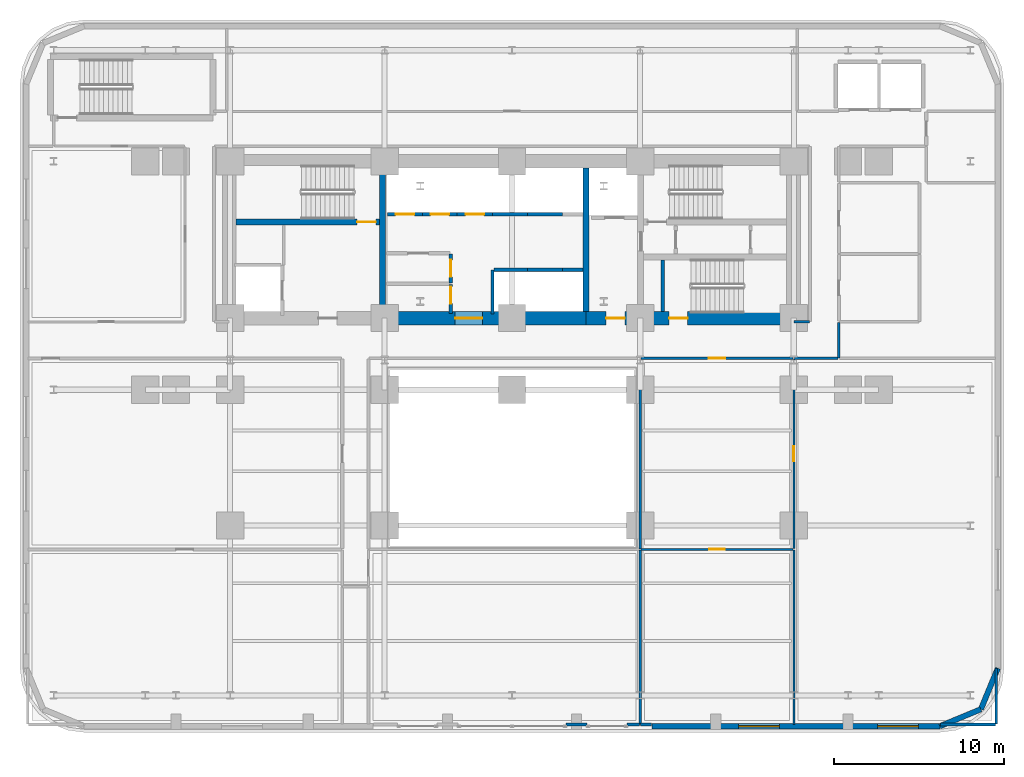
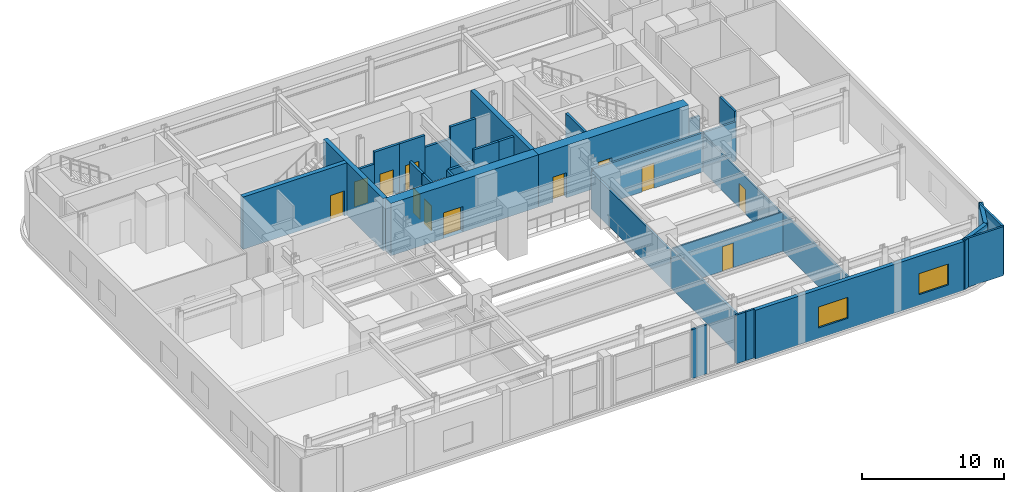
# One storey, part 7 of 14: 34 walls, 12 doors, 2 windows, 14 openings.
"""IFC4 building model written with IfcOpenShell, lengths in metres."""

from ifc_helpers import new_model, si_unit, direction, frame, frame_2d, origin, place, context, subcontext, project, spatial, rectangle, extrude, material, layer, layer_set, type_object, element, fill, save


model = new_model("IFC4")

# Units and contexts
model_context = context("Model", 3, precision=1e-05, world=origin(), true_north=direction((0.0, 1.0)))
body_context = subcontext(model_context, "Body", "Model", "MODEL_VIEW")
ifc_project = project(units=[si_unit("LENGTHUNIT", "METRE"), si_unit("AREAUNIT", "SQUARE_METRE"), si_unit("VOLUMEUNIT", "CUBIC_METRE"), si_unit("PLANEANGLEUNIT", "RADIAN"), si_unit("MASSUNIT", "GRAM", prefix="KILO")], contexts=[model_context])

# Site, building, storey
site_placement = place(None, origin())
site = spatial("IfcSite", under=ifc_project, at=site_placement, CompositionType="ELEMENT")
building_placement = place(site_placement, origin())
building = spatial("IfcBuilding", under=site, at=building_placement, Name="Zarnavel Station Tower", CompositionType="ELEMENT")
storey_placement = place(building_placement, frame((0.0, 0.0, 14.89990234375)))
storey = spatial("IfcBuildingStorey", under=building, at=storey_placement, Name="L04", CompositionType="ELEMENT", Elevation=14.89990234375)

# Walls
ifc_material_1 = material(Name="Concrete C50/60", Category="concrete")
ifc_layer_1 = layer(ifc_material_1, 0.35009765625)
ifc_layer_set_1 = layer_set([ifc_layer_1], Name="CW_350")
wall_type_1 = type_object("IfcWallType", Name="CW_350", PredefinedType="SHEAR", material=ifc_layer_set_1)
for number, where, z_axis, x_axis, name in (
    (1, (21.179931640625, 28.219970703125, 0.0), (0.0, 0.0, 1.0), (0.0, 1.0, 0.0), "L04 Rear Core Shear Wall DIV-W"),
    (2, (33.14990234375, 28.219970703125, 0.0), (0.0, 0.0, 1.0), (0.0, 1.0, 0.0), "L04 Rear Core Shear Wall DIV-E"),
):
    element("IfcWall", number, at=place(storey_placement, frame(where, z_axis=z_axis, x_axis=x_axis)), inside=storey, type_object=wall_type_1, Name=name, PredefinedType="SHEAR", context=body_context, shape_type="SweptSolid", body=[
        extrude(rectangle(XDim=8.429931640625, YDim=0.35009765625, at=frame_2d((4.21484375, 0.0))), origin(), (0.0, 0.0, 1.0), 4.5),
    ])

# Wall, opening, door
wall_1_placement = place(storey_placement, frame((21.0048828125, 33.47998046875, 0.0), z_axis=(0.0, 0.0, 1.0), x_axis=(-1.0, 0.0, 0.0)))
wall_1 = element("IfcWall", 3, at=wall_1_placement, inside=storey, type_object=wall_type_1, Name="L04 Rear Core Shear Wall DIV-H1", PredefinedType="SHEAR", context=body_context, shape_type="SweptSolid", body=[
    extrude(rectangle(XDim=8.454833984375, YDim=0.35009765625, at=frame_2d((4.2275390625, 0.0))), origin(), (0.0, 0.0, 1.0), 4.5),
])
opening_1_placement = place(wall_1_placement, frame((0.219970703125, 0.0, 0.0)))
opening_1 = element("IfcOpeningElement", 4, at=opening_1_placement, cuts=wall_1, Name="Opening FD01", PredefinedType="OPENING", context=body_context, shape_type="SweptSolid", body=[
    extrude(rectangle(XDim=1.10009765625, YDim=2.14990234375, at=frame_2d((0.550048828125, 1.074951171875))), frame((0.0, 0.18505859375, 0.0), z_axis=(0.0, -1.0, 0.0), x_axis=(1.0, 0.0, 0.0)), (0.0, 0.0, 1.0), 0.3701171875),
])
ifc_material_2 = material(Name="Painted Galvanised Steel and Hardwood Leaf", Category="steel")
door_type_1 = type_object("IfcDoorType", Name="ID_STAIR_1100", OperationType="NOTDEFINED", PredefinedType="DOOR", material=ifc_material_2)
door_1_placement = place(opening_1_placement, origin())
door_1 = element("IfcDoor", 5, at=door_1_placement, inside=storey, type_object=door_type_1, Name="L04 Stair ST1 Lobby Fire Door", OperationType="SINGLE_SWING_LEFT", OverallHeight=2.14990234375, OverallWidth=1.10009765625, PredefinedType="DOOR", context=body_context, shape_type="SweptSolid", body=[
    extrude(rectangle(XDim=1.10009765625, YDim=2.14990234375, at=frame_2d((0.550048828125, 1.074951171875))), frame((0.0, 0.02490234375, 0.0), z_axis=(0.0, -1.0, 0.0), x_axis=(1.0, 0.0, 0.0)), (0.0, 0.0, 1.0), 0.050048828125),
])
fill(opening_1, door_1)

ifc_material_3 = material(Name="Concrete C60/75", Category="concrete")
ifc_layer_2 = layer(ifc_material_3, 0.800048828125)
ifc_layer_set_2 = layer_set([ifc_layer_2], Name="CW_800")
wall_type_2 = type_object("IfcWallType", Name="CW_800", PredefinedType="SHEAR", material=ifc_layer_set_2)
wall_2_placement = place(storey_placement, frame((33.14990234375, 27.820068359375, 0.0), z_axis=(0.0, 0.0, 1.0), x_axis=(-1.0, 0.0, 0.0)))
wall_2 = element("IfcWall", 6, at=wall_2_placement, inside=storey, type_object=wall_type_2, Name="L04 Rear Core Shear Wall S-M", PredefinedType="SHEAR", context=body_context, shape_type="SweptSolid", body=[
    extrude(rectangle(XDim=11.969970703125, YDim=0.800048828125, at=frame_2d((5.98486328125, 0.0))), origin(), (0.0, 0.0, 1.0), 4.5),
])
opening_2_placement = place(wall_2_placement, frame((6.10009765625, 0.0, 0.0)))
opening_2 = element("IfcOpeningElement", 7, at=opening_2_placement, cuts=wall_2, Name="Opening ID03", PredefinedType="OPENING", context=body_context, shape_type="SweptSolid", body=[
    extrude(rectangle(XDim=1.60009765625, YDim=2.199951171875, at=frame_2d((0.800048828125, 1.10009765625))), frame((0.0, 0.409912109375, 0.0), z_axis=(0.0, -1.0, 0.0), x_axis=(1.0, 0.0, 0.0)), (0.0, 0.0, 1.0), 0.820068359375),
])
ifc_material_4 = material(Name="Painted Galvanised Steel and Hardwood Leaf", Category="steel")
door_type_2 = type_object("IfcDoorType", Name="ID_PUBLIC_1600", OperationType="DOUBLE_DOOR_SINGLE_SWING", PredefinedType="DOOR", material=ifc_material_4)
door_2_placement = place(opening_2_placement, origin())
door_2 = element("IfcDoor", 8, at=door_2_placement, inside=storey, type_object=door_type_2, Name="L04 Passenger Lift Lobby Double Door", OperationType="SINGLE_SWING_LEFT", OverallHeight=2.199951171875, OverallWidth=1.60009765625, PredefinedType="DOOR", context=body_context, shape_type="SweptSolid", body=[
    extrude(rectangle(XDim=1.60009765625, YDim=2.199951171875, at=frame_2d((0.800048828125, 1.10009765625))), frame((0.0, 0.02490234375, 0.0), z_axis=(0.0, -1.0, 0.0), x_axis=(1.0, 0.0, 0.0)), (0.0, 0.0, 1.0), 0.050048828125),
])
fill(opening_2, door_2)

# Wall, openings, doors
wall_3_placement = place(storey_placement, frame((45.3798828125, 27.820068359375, 0.0), z_axis=(0.0, 0.0, 1.0), x_axis=(-1.0, 0.0, 0.0)))
wall_3 = element("IfcWall", 9, at=wall_3_placement, inside=storey, type_object=wall_type_2, Name="L04 Rear Core Shear Wall S-E", PredefinedType="SHEAR", context=body_context, shape_type="SweptSolid", body=[
    extrude(rectangle(XDim=12.22998046875, YDim=0.800048828125, at=frame_2d((6.114990234375, 0.0))), origin(), (0.0, 0.0, 1.0), 4.5),
])
opening_3_placement = place(wall_3_placement, frame((9.929931640625, 0.0, 0.0)))
opening_3 = element("IfcOpeningElement", 10, at=opening_3_placement, cuts=wall_3, Name="Opening FD01", PredefinedType="OPENING", context=body_context, shape_type="SweptSolid", body=[
    extrude(rectangle(XDim=1.10009765625, YDim=2.14990234375, at=frame_2d((0.550048828125, 1.074951171875))), frame((0.0, 0.409912109375, 0.0), z_axis=(0.0, -1.0, 0.0), x_axis=(1.0, 0.0, 0.0)), (0.0, 0.0, 1.0), 0.820068359375),
])
opening_4_placement = place(wall_3_placement, frame((6.22998046875, 0.0, 0.0)))
opening_4 = element("IfcOpeningElement", 11, at=opening_4_placement, cuts=wall_3, Name="Opening FD01", PredefinedType="OPENING", context=body_context, shape_type="SweptSolid", body=[
    extrude(rectangle(XDim=1.10009765625, YDim=2.14990234375, at=frame_2d((0.550048828125, 1.074951171875))), frame((0.0, 0.409912109375, 0.0), z_axis=(0.0, -1.0, 0.0), x_axis=(1.0, 0.0, 0.0)), (0.0, 0.0, 1.0), 0.820068359375),
])
door_3_placement = place(opening_3_placement, origin())
door_3 = element("IfcDoor", 12, at=door_3_placement, inside=storey, type_object=door_type_1, Name="L04 East Firefighting Lobby Door", OperationType="SINGLE_SWING_LEFT", OverallHeight=2.14990234375, OverallWidth=1.10009765625, PredefinedType="DOOR", context=body_context, shape_type="SweptSolid", body=[
    extrude(rectangle(XDim=1.10009765625, YDim=2.14990234375, at=frame_2d((0.550048828125, 1.074951171875))), frame((0.0, 0.02490234375, 0.0), z_axis=(0.0, -1.0, 0.0), x_axis=(1.0, 0.0, 0.0)), (0.0, 0.0, 1.0), 0.050048828125),
])
fill(opening_3, door_3)
door_4_placement = place(opening_4_placement, origin())
door_4 = element("IfcDoor", 13, at=door_4_placement, inside=storey, type_object=door_type_1, Name="L04 Stair ST3 Corridor Fire Door", OperationType="SINGLE_SWING_RIGHT", OverallHeight=2.14990234375, OverallWidth=1.10009765625, PredefinedType="DOOR", context=body_context, shape_type="SweptSolid", body=[
    extrude(rectangle(XDim=1.10009765625, YDim=2.14990234375, at=frame_2d((0.550048828125, 1.074951171875))), frame((0.0, 0.02490234375, 0.0), z_axis=(0.0, -1.0, 0.0), x_axis=(1.0, 0.0, 0.0)), (0.0, 0.0, 1.0), 0.050048828125),
])
fill(opening_4, door_4)

# Walls
ifc_material_5 = material(Name="Precast concrete C45/55 (Podium Basalt Frame)", Category="masonry")
ifc_layer_3 = layer(ifc_material_5, 0.320068359375)
ifc_layer_set_3 = layer_set([ifc_layer_3], Name="EW_BASALT_320")
wall_type_3 = type_object("IfcWallType", Name="EW_BASALT_320", PredefinedType="SOLIDWALL", material=ifc_layer_set_3)
for number, where, z_axis, x_axis, name in (
    (14, (56.418212890625, 4.78173828125, 0.0), (0.0, 0.0, 1.0), (-0.923872453333, -0.382700522567, 0.0), "L04 Exterior Basalt Masonry Frame Wall 01"),
    (15, (57.419921875, 7.199951171875, 0.0), (0.0, 0.0, 1.0), (-0.382700522567, -0.923872453333, 0.0), "L04 Exterior Basalt Masonry Frame Wall 02"),
):
    element("IfcWall", number, at=place(storey_placement, frame(where, z_axis=z_axis, x_axis=x_axis)), inside=storey, type_object=wall_type_3, Name=name, PredefinedType="SOLIDWALL", context=body_context, shape_type="SweptSolid", body=[
        extrude(rectangle(XDim=2.617431640625, YDim=0.320068359375, at=frame_2d((1.30859375, 0.0))), origin(), (0.0, 0.0, 1.0), 4.2001953125),
    ])

# Wall, openings, windows
wall_4_placement = place(storey_placement, frame((54.0, 3.780029296875, 0.0), z_axis=(0.0, 0.0, 1.0), x_axis=(-1.0, 0.0, 0.0)))
wall_4 = element("IfcWall", 16, at=wall_4_placement, inside=storey, type_object=wall_type_3, Name="L04 South East Masonry Facade Wall", PredefinedType="SOLIDWALL", context=body_context, shape_type="SweptSolid", body=[
    extrude(rectangle(XDim=16.949951171875, YDim=0.320068359375, at=frame_2d((8.47509765625, 0.0))), origin(), (0.0, 0.0, 1.0), 4.2001953125),
])
opening_5_placement = place(wall_4_placement, frame((9.451904296875, 0.0, 0.89990234375)))
opening_5 = element("IfcOpeningElement", 17, at=opening_5_placement, cuts=wall_4, Name="Opening WN03", PredefinedType="OPENING", context=body_context, shape_type="SweptSolid", body=[
    extrude(rectangle(XDim=2.39990234375, YDim=1.800048828125, at=frame_2d((1.199951171875, 0.89990234375))), frame((0.0, 0.169921875, 0.0), z_axis=(0.0, -1.0, 0.0), x_axis=(1.0, 0.0, 0.0)), (0.0, 0.0, 1.0), 0.340087890625),
])
opening_6_placement = place(wall_4_placement, frame((1.261962890625, 0.0, 0.89990234375)))
opening_6 = element("IfcOpeningElement", 18, at=opening_6_placement, cuts=wall_4, Name="Opening WN03", PredefinedType="OPENING", context=body_context, shape_type="SweptSolid", body=[
    extrude(rectangle(XDim=2.39990234375, YDim=1.800048828125, at=frame_2d((1.199951171875, 0.89990234375))), frame((0.0, 0.169921875, 0.0), z_axis=(0.0, -1.0, 0.0), x_axis=(1.0, 0.0, 0.0)), (0.0, 0.0, 1.0), 0.340087890625),
])
ifc_material_6 = material(Name="Thermally Broken Black Aluminium and Low-E Dark Glass", Category="aluminium")
window_type = type_object("IfcWindowType", Name="WN_2400x1800", PartitioningType="TRIPLE_PANEL_VERTICAL", PredefinedType="WINDOW", material=ifc_material_6)
window_1_placement = place(opening_5_placement, origin())
window_1 = element("IfcWindow", 19, at=window_1_placement, inside=storey, type_object=window_type, Name="L04 Recessed Facade Window 01", OverallHeight=1.800048828125, OverallWidth=2.39990234375, PartitioningType="SINGLE_PANEL", PredefinedType="WINDOW", context=body_context, shape_type="SweptSolid", body=[
    extrude(rectangle(XDim=2.39990234375, YDim=1.800048828125, at=frame_2d((1.199951171875, 0.89990234375))), frame((0.0, 0.030029296875, 0.0), z_axis=(0.0, -1.0, 0.0), x_axis=(1.0, 0.0, 0.0)), (0.0, 0.0, 1.0), 0.06005859375),
])
fill(opening_5, window_1)
window_2_placement = place(opening_6_placement, origin())
window_2 = element("IfcWindow", 20, at=window_2_placement, inside=storey, type_object=window_type, Name="L04 Recessed Facade Window 02", OverallHeight=1.800048828125, OverallWidth=2.39990234375, PartitioningType="SINGLE_PANEL", PredefinedType="WINDOW", context=body_context, shape_type="SweptSolid", body=[
    extrude(rectangle(XDim=2.39990234375, YDim=1.800048828125, at=frame_2d((1.199951171875, 0.89990234375))), frame((0.0, 0.030029296875, 0.0), z_axis=(0.0, -1.0, 0.0), x_axis=(1.0, 0.0, 0.0)), (0.0, 0.0, 1.0), 0.06005859375),
])
fill(opening_6, window_2)

# Wall, opening, door
ifc_material_7 = material(Name="Gypsum Twin-Stud Acoustic Fire Partition", Category="concrete")
ifc_layer_4 = layer(ifc_material_7, 0.159912109375)
ifc_layer_set_4 = layer_set([ifc_layer_4], Name="PT_DEMISE_160")
wall_type_4 = type_object("IfcWallType", Name="PT_DEMISE_160", PredefinedType="PARTITIONING", material=ifc_layer_set_4)
wall_5_placement = place(storey_placement, frame((36.389892578125, 25.449951171875, 0.0), z_axis=(0.0, 0.0, 1.0), x_axis=(1.0, 0.0, 0.0)))
wall_5 = element("IfcWall", 21, at=wall_5_placement, inside=storey, type_object=wall_type_4, Name="L04 Partition PCOR-S-PDR", PredefinedType="PARTITIONING", context=body_context, shape_type="SweptSolid", body=[
    extrude(rectangle(XDim=8.97021484375, YDim=0.159912109375, at=frame_2d((4.485107421875, 0.0))), origin(), (0.0, 0.0, 1.0), 3.3662109375),
])
opening_7_placement = place(wall_5_placement, frame((3.985107421875, 0.0, 0.0)))
opening_7 = element("IfcOpeningElement", 22, at=opening_7_placement, cuts=wall_5, Name="Opening FD02", PredefinedType="OPENING", context=body_context, shape_type="SweptSolid", body=[
    extrude(rectangle(XDim=1.0, YDim=2.14990234375, at=frame_2d((0.5, 1.074951171875))), frame((0.0, 0.08984375, 0.0), z_axis=(0.0, -1.0, 0.0), x_axis=(1.0, 0.0, 0.0)), (0.0, 0.0, 1.0), 0.179931640625),
])
ifc_material_8 = material(Name="Painted Galvanised Steel and Hardwood Leaf", Category="steel")
door_type_3 = type_object("IfcDoorType", Name="ID_ENTRY_1000", OperationType="NOTDEFINED", PredefinedType="DOOR", material=ifc_material_8)
door_5_placement = place(opening_7_placement, origin())
door_5 = element("IfcDoor", 23, at=door_5_placement, inside=storey, type_object=door_type_3, Name="L04 Door PCOR-S-PDR", OperationType="SINGLE_SWING_RIGHT", OverallHeight=2.14990234375, OverallWidth=1.0, PredefinedType="DOOR", context=body_context, shape_type="SweptSolid", body=[
    extrude(rectangle(XDim=1.0, YDim=2.14990234375, at=frame_2d((0.5, 1.074951171875))), frame((0.0, 0.02490234375, 0.0), z_axis=(0.0, -1.0, 0.0), x_axis=(1.0, 0.0, 0.0)), (0.0, 0.0, 1.0), 0.050048828125),
])
fill(opening_7, door_5)

# Walls
wall_6_placement = place(storey_placement, frame((45.43994140625, 25.449951171875, 0.0), z_axis=(0.0, 0.0, 1.0), x_axis=(1.0, 0.0, 0.0)))
element("IfcWall", 24, at=wall_6_placement, inside=storey, type_object=wall_type_4, Name="L04 Partition PCOR-S-PDRE", PredefinedType="PARTITIONING", context=body_context, shape_type="SweptSolid", body=[
    extrude(rectangle(XDim=2.570068359375, YDim=0.159912109375, at=frame_2d((1.28515625, 0.0))), origin(), (0.0, 0.0, 1.0), 3.3662109375),
])
wall_7_placement = place(storey_placement, frame((36.35009765625, 3.8798828125, 0.0), z_axis=(0.0, 0.0, 1.0), x_axis=(0.0, 1.0, 0.0)))
element("IfcWall", 25, at=wall_7_placement, inside=storey, type_object=wall_type_4, Name="L04 Partition TERD-REST2", PredefinedType="PARTITIONING", context=body_context, shape_type="SweptSolid", body=[
    extrude(rectangle(XDim=10.280029296875, YDim=0.159912109375, at=frame_2d((5.14013671875, 0.0))), origin(), (0.0, 0.0, 1.0), 3.3662109375),
])
wall_8_placement = place(storey_placement, frame((45.409912109375, 27.60009765625, 0.0), z_axis=(0.0, 0.0, 1.0), x_axis=(1.0, 0.0, 0.0)))
element("IfcWall", 26, at=wall_8_placement, inside=storey, type_object=wall_type_4, Name="L04 Enclosure Wall PCOR-S", PredefinedType="PARTITIONING", context=body_context, shape_type="SweptSolid", body=[
    extrude(rectangle(XDim=0.91015625, YDim=0.159912109375, at=frame_2d((0.455078125, 0.0))), origin(), (0.0, 0.0, 1.0), 3.172119140625),
])
wall_9_placement = place(storey_placement, frame((48.050048828125, 25.47998046875, 0.0), z_axis=(0.0, 0.0, 1.0), x_axis=(0.0, 1.0, 0.0)))
element("IfcWall", 27, at=wall_9_placement, inside=storey, type_object=wall_type_4, Name="L04 Enclosure Wall PCOR-S", PredefinedType="PARTITIONING", context=body_context, shape_type="SweptSolid", body=[
    extrude(rectangle(XDim=2.090087890625, YDim=0.159912109375, at=frame_2d((1.044921875, 0.0))), origin(), (0.0, 0.0, 1.0), 4.2001953125),
])
wall_10_placement = place(storey_placement, frame((31.986083984375, 3.8798828125, 0.0), z_axis=(0.0, 0.0, 1.0), x_axis=(1.0, 0.0, 0.0)))
element("IfcWall", 28, at=wall_10_placement, inside=storey, type_object=wall_type_4, Name="L04 Enclosure Wall TERD", PredefinedType="PARTITIONING", context=body_context, shape_type="SweptSolid", body=[
    extrude(rectangle(XDim=1.22802734375, YDim=0.159912109375, at=frame_2d((0.614013671875, 0.0))), origin(), (0.0, 0.0, 1.0), 4.2001953125),
])
wall_11_placement = place(storey_placement, frame((35.580078125, 3.8798828125, 0.0), z_axis=(0.0, 0.0, 1.0), x_axis=(1.0, 0.0, 0.0)))
element("IfcWall", 29, at=wall_11_placement, inside=storey, type_object=wall_type_4, Name="L04 Enclosure Wall TERD", PredefinedType="PARTITIONING", context=body_context, shape_type="SweptSolid", body=[
    extrude(rectangle(XDim=0.739990234375, YDim=0.159912109375, at=frame_2d((0.3701171875, 0.0))), origin(), (0.0, 0.0, 1.0), 4.2001953125),
])
wall_12_placement = place(storey_placement, frame((36.3798828125, 3.8798828125, 0.0), z_axis=(0.0, 0.0, 1.0), x_axis=(1.0, 0.0, 0.0)))
element("IfcWall", 30, at=wall_12_placement, inside=storey, type_object=wall_type_4, Name="L04 Enclosure Wall REST2", PredefinedType="PARTITIONING", context=body_context, shape_type="SweptSolid", body=[
    extrude(rectangle(XDim=0.64013671875, YDim=0.159912109375, at=frame_2d((0.320068359375, 0.0))), origin(), (0.0, 0.0, 1.0), 4.2001953125),
])
wall_13_placement = place(storey_placement, frame((36.35009765625, 14.22998046875, 0.0), z_axis=(0.0, 0.0, 1.0), x_axis=(0.0, 1.0, 0.0)))
element("IfcWall", 31, at=wall_13_placement, inside=storey, type_object=wall_type_4, Name="L04 Enclosure Wall PDR", PredefinedType="PARTITIONING", context=body_context, shape_type="SweptSolid", body=[
    extrude(rectangle(XDim=11.18994140625, YDim=0.159912109375, at=frame_2d((5.594970703125, 0.0))), origin(), (0.0, 0.0, 1.0), 3.172119140625),
])
for number, where, z_axis, x_axis, name in (
    (32, (54.030029296875, 3.8798828125, 0.0), (0.0, 0.0, 1.0), (1.0, 0.0, 0.0), "L04 Enclosure Wall PDRE"),
    (33, (57.320068359375, 3.909912109375, 0.0), (0.0, 0.0, 1.0), (0.0, 1.0, 0.0), "L04 Enclosure Wall PDRE"),
):
    element("IfcWall", number, at=place(storey_placement, frame(where, z_axis=z_axis, x_axis=x_axis)), inside=storey, type_object=wall_type_4, Name=name, PredefinedType="PARTITIONING", context=body_context, shape_type="SweptSolid", body=[
        extrude(rectangle(XDim=3.260009765625, YDim=0.159912109375, at=frame_2d((1.6298828125, 0.0))), origin(), (0.0, 0.0, 1.0), 4.2001953125),
    ])

# Wall, opening, door
ifc_material_9 = material(Name="Gypsum Metal-Stud Interior Partition", Category="concrete")
ifc_layer_5 = layer(ifc_material_9, 0.1201171875)
ifc_layer_set_5 = layer_set([ifc_layer_5], Name="PT_ROOM_120")
wall_type_5 = type_object("IfcWallType", Name="PT_ROOM_120", PredefinedType="PARTITIONING", material=ifc_layer_set_5)
wall_14_placement = place(storey_placement, frame((36.389892578125, 14.199951171875, 0.0), z_axis=(0.0, 0.0, 1.0), x_axis=(1.0, 0.0, 0.0)))
wall_14 = element("IfcWall", 34, at=wall_14_placement, inside=storey, type_object=wall_type_5, Name="L04 Partition REST2-PDR", PredefinedType="PARTITIONING", context=body_context, shape_type="SweptSolid", body=[
    extrude(rectangle(XDim=8.97021484375, YDim=0.1201171875, at=frame_2d((4.485107421875, 0.0))), origin(), (0.0, 0.0, 1.0), 3.3662109375),
])
opening_8_placement = place(wall_14_placement, frame((4.034912109375, 0.0, 0.0)))
opening_8 = element("IfcOpeningElement", 35, at=opening_8_placement, cuts=wall_14, Name="Opening ID01", PredefinedType="OPENING", context=body_context, shape_type="SweptSolid", body=[
    extrude(rectangle(XDim=0.89990234375, YDim=2.10009765625, at=frame_2d((0.449951171875, 1.050048828125))), frame((0.0, 0.070068359375, 0.0), z_axis=(0.0, -1.0, 0.0), x_axis=(1.0, 0.0, 0.0)), (0.0, 0.0, 1.0), 0.14013671875),
])
ifc_material_10 = material(Name="Painted Galvanised Steel and Hardwood Leaf", Category="steel")
door_type_4 = type_object("IfcDoorType", Name="ID_ROOM_900", OperationType="NOTDEFINED", PredefinedType="DOOR", material=ifc_material_10)
door_6_placement = place(opening_8_placement, origin())
door_6 = element("IfcDoor", 36, at=door_6_placement, inside=storey, type_object=door_type_4, Name="L04 Door REST2-PDR", OperationType="SINGLE_SWING_RIGHT", OverallHeight=2.10009765625, OverallWidth=0.89990234375, PredefinedType="DOOR", context=body_context, shape_type="SweptSolid", body=[
    extrude(rectangle(XDim=0.89990234375, YDim=2.10009765625, at=frame_2d((0.449951171875, 1.050048828125))), frame((0.0, 0.02490234375, 0.0), z_axis=(0.0, -1.0, 0.0), x_axis=(1.0, 0.0, 0.0)), (0.0, 0.0, 1.0), 0.050048828125),
])
fill(opening_8, door_6)

# Wall
wall_15_placement = place(storey_placement, frame((45.39990234375, 3.8798828125, 0.0), z_axis=(0.0, 0.0, 1.0), x_axis=(0.0, 1.0, 0.0)))
element("IfcWall", 37, at=wall_15_placement, inside=storey, type_object=wall_type_5, Name="L04 Partition REST2-PDRE", PredefinedType="PARTITIONING", context=body_context, shape_type="SweptSolid", body=[
    extrude(rectangle(XDim=10.280029296875, YDim=0.1201171875, at=frame_2d((5.14013671875, 0.0))), origin(), (0.0, 0.0, 1.0), 3.3662109375),
])

# Wall, opening, door
wall_16_placement = place(storey_placement, frame((45.39990234375, 14.239990234375, 0.0), z_axis=(0.0, 0.0, 1.0), x_axis=(0.0, 1.0, 0.0)))
wall_16 = element("IfcWall", 38, at=wall_16_placement, inside=storey, type_object=wall_type_5, Name="L04 Partition PDR-PDRE", PredefinedType="PARTITIONING", context=body_context, shape_type="SweptSolid", body=[
    extrude(rectangle(XDim=11.169921875, YDim=0.1201171875, at=frame_2d((5.5849609375, 0.0))), origin(), (0.0, 0.0, 1.0), 3.172119140625),
])
opening_9_placement = place(wall_16_placement, frame((5.135009765625, 0.0, 0.0)))
opening_9 = element("IfcOpeningElement", 39, at=opening_9_placement, cuts=wall_16, Name="Opening ID01", PredefinedType="OPENING", context=body_context, shape_type="SweptSolid", body=[
    extrude(rectangle(XDim=0.89990234375, YDim=2.10009765625, at=frame_2d((0.449951171875, 1.050048828125))), frame((0.0, 0.070068359375, 0.0), z_axis=(0.0, -1.0, 0.0), x_axis=(1.0, 0.0, 0.0)), (0.0, 0.0, 1.0), 0.14013671875),
])
door_7_placement = place(opening_9_placement, origin())
door_7 = element("IfcDoor", 40, at=door_7_placement, inside=storey, type_object=door_type_4, Name="L04 Door PDR-PDRE", OperationType="SINGLE_SWING_LEFT", OverallHeight=2.10009765625, OverallWidth=0.89990234375, PredefinedType="DOOR", context=body_context, shape_type="SweptSolid", body=[
    extrude(rectangle(XDim=0.89990234375, YDim=2.10009765625, at=frame_2d((0.449951171875, 1.050048828125))), frame((0.0, 0.02490234375, 0.0), z_axis=(0.0, -1.0, 0.0), x_axis=(1.0, 0.0, 0.0)), (0.0, 0.0, 1.0), 0.050048828125),
])
fill(opening_9, door_7)

# Walls
ifc_material_11 = material(Name="Precast concrete C45/55 (Fire Shaft Blockwork)", Category="masonry")
ifc_layer_6 = layer(ifc_material_11, 0.199951171875)
ifc_layer_set_6 = layer_set([ifc_layer_6], Name="PT_SHAFT_200")
wall_type_6 = type_object("IfcWallType", Name="PT_SHAFT_200", PredefinedType="PARTITIONING", material=ifc_layer_set_6)
wall_17_placement = place(storey_placement, frame((27.75, 30.669921875, 0.0), z_axis=(0.0, 0.0, 1.0), x_axis=(1.0, 0.0, 0.0)))
element("IfcWall", 41, at=wall_17_placement, inside=storey, type_object=wall_type_6, Name="L04 Lift PL-H1 Shaft Front Wall", PredefinedType="PARTITIONING", context=body_context, shape_type="SweptSolid", body=[
    extrude(rectangle(XDim=1.97509765625, YDim=0.199951171875, at=frame_2d((0.987548828125, 0.0))), origin(), (0.0, 0.0, 1.0), 3.172119140625),
])
wall_18_placement = place(storey_placement, frame((27.64990234375, 28.070068359375, 0.0), z_axis=(0.0, 0.0, 1.0), x_axis=(0.0, 1.0, 0.0)))
element("IfcWall", 42, at=wall_18_placement, inside=storey, type_object=wall_type_6, Name="L04 High-Rise Lift Bank West Shaft Wall", PredefinedType="PARTITIONING", context=body_context, shape_type="SweptSolid", body=[
    extrude(rectangle(XDim=2.579833984375, YDim=0.199951171875, at=frame_2d((1.2900390625, 0.0))), origin(), (0.0, 0.0, 1.0), 3.172119140625),
])
wall_19_placement = place(storey_placement, frame((29.72509765625, 30.669921875, 0.0), z_axis=(0.0, 0.0, 1.0), x_axis=(1.0, 0.0, 0.0)))
element("IfcWall", 43, at=wall_19_placement, inside=storey, type_object=wall_type_6, Name="L04 Lift PL-H2 Shaft Front Wall", PredefinedType="PARTITIONING", context=body_context, shape_type="SweptSolid", body=[
    extrude(rectangle(XDim=2.0498046875, YDim=0.199951171875, at=frame_2d((1.02490234375, 0.0))), origin(), (0.0, 0.0, 1.0), 4.2001953125),
])
wall_20_placement = place(storey_placement, frame((31.77490234375, 30.669921875, 0.0), z_axis=(0.0, 0.0, 1.0), x_axis=(1.0, 0.0, 0.0)))
element("IfcWall", 44, at=wall_20_placement, inside=storey, type_object=wall_type_6, Name="L04 Lift PL-H3 Shaft Front Wall", PredefinedType="PARTITIONING", context=body_context, shape_type="SweptSolid", body=[
    extrude(rectangle(XDim=1.2001953125, YDim=0.199951171875, at=frame_2d((0.60009765625, 0.0))), origin(), (0.0, 0.0, 1.0), 4.2001953125),
])

# Wall, opening, door
wall_21_placement = place(storey_placement, frame((21.4599609375, 33.929931640625, 0.0), z_axis=(0.0, 0.0, 1.0), x_axis=(1.0, 0.0, 0.0)))
wall_21 = element("IfcWall", 45, at=wall_21_placement, inside=storey, type_object=wall_type_6, Name="L04 Lift PL-L1 Shaft Front Wall", PredefinedType="PARTITIONING", context=body_context, shape_type="SweptSolid", body=[
    extrude(rectangle(XDim=2.06494140625, YDim=0.199951171875, at=frame_2d((1.032470703125, 0.0))), origin(), (0.0, 0.0, 1.0), 3.172119140625),
])
opening_10_placement = place(wall_21_placement, frame((0.482421875, 0.0, 0.0)))
opening_10 = element("IfcOpeningElement", 46, at=opening_10_placement, cuts=wall_21, Name="Opening LD02", PredefinedType="OPENING", context=body_context, shape_type="SweptSolid", body=[
    extrude(rectangle(XDim=1.10009765625, YDim=2.14990234375, at=frame_2d((0.550048828125, 1.074951171875))), frame((0.0, 0.10986328125, 0.0), z_axis=(0.0, -1.0, 0.0), x_axis=(1.0, 0.0, 0.0)), (0.0, 0.0, 1.0), 0.219970703125),
])
ifc_material_12 = material(Name="Painted Galvanised Steel and Hardwood Leaf", Category="steel")
door_type_5 = type_object("IfcDoorType", Name="LD_PAX_1100", OperationType="DOUBLE_DOOR_SLIDING", PredefinedType="DOOR", material=ifc_material_12)
door_8_placement = place(opening_10_placement, origin())
door_8 = element("IfcDoor", 47, at=door_8_placement, inside=storey, type_object=door_type_5, Name="L04 Lift PL-L1 Sliding Landing Door", OperationType="DOUBLE_DOOR_SLIDING", OverallHeight=2.14990234375, OverallWidth=1.10009765625, PredefinedType="DOOR", context=body_context, shape_type="SweptSolid", body=[
    extrude(rectangle(XDim=1.10009765625, YDim=2.14990234375, at=frame_2d((0.550048828125, 1.074951171875))), frame((0.0, 0.02490234375, 0.0), z_axis=(0.0, -1.0, 0.0), x_axis=(1.0, 0.0, 0.0)), (0.0, 0.0, 1.0), 0.050048828125),
])
fill(opening_10, door_8)

wall_22_placement = place(storey_placement, frame((23.52490234375, 33.929931640625, 0.0), z_axis=(0.0, 0.0, 1.0), x_axis=(1.0, 0.0, 0.0)))
wall_22 = element("IfcWall", 48, at=wall_22_placement, inside=storey, type_object=wall_type_6, Name="L04 Lift PL-L2 Shaft Front Wall", PredefinedType="PARTITIONING", context=body_context, shape_type="SweptSolid", body=[
    extrude(rectangle(XDim=2.050048828125, YDim=0.199951171875, at=frame_2d((1.02490234375, 0.0))), origin(), (0.0, 0.0, 1.0), 4.2001953125),
])
opening_11_placement = place(wall_22_placement, frame((0.47509765625, 0.0, 0.0)))
opening_11 = element("IfcOpeningElement", 49, at=opening_11_placement, cuts=wall_22, Name="Opening LD02", PredefinedType="OPENING", context=body_context, shape_type="SweptSolid", body=[
    extrude(rectangle(XDim=1.10009765625, YDim=2.14990234375, at=frame_2d((0.550048828125, 1.074951171875))), frame((0.0, 0.10986328125, 0.0), z_axis=(0.0, -1.0, 0.0), x_axis=(1.0, 0.0, 0.0)), (0.0, 0.0, 1.0), 0.219970703125),
])
door_9_placement = place(opening_11_placement, origin())
door_9 = element("IfcDoor", 50, at=door_9_placement, inside=storey, type_object=door_type_5, Name="L04 Lift PL-L2 Sliding Landing Door", OperationType="DOUBLE_DOOR_SLIDING", OverallHeight=2.14990234375, OverallWidth=1.10009765625, PredefinedType="DOOR", context=body_context, shape_type="SweptSolid", body=[
    extrude(rectangle(XDim=1.10009765625, YDim=2.14990234375, at=frame_2d((0.550048828125, 1.074951171875))), frame((0.0, 0.02490234375, 0.0), z_axis=(0.0, -1.0, 0.0), x_axis=(1.0, 0.0, 0.0)), (0.0, 0.0, 1.0), 0.050048828125),
])
fill(opening_11, door_9)

wall_23_placement = place(storey_placement, frame((25.574951171875, 33.929931640625, 0.0), z_axis=(0.0, 0.0, 1.0), x_axis=(1.0, 0.0, 0.0)))
wall_23 = element("IfcWall", 51, at=wall_23_placement, inside=storey, type_object=wall_type_6, Name="L04 Lift PL-L3 Shaft Front Wall", PredefinedType="PARTITIONING", context=body_context, shape_type="SweptSolid", body=[
    extrude(rectangle(XDim=2.074951171875, YDim=0.199951171875, at=frame_2d((1.03759765625, 0.0))), origin(), (0.0, 0.0, 1.0), 4.2001953125),
])
opening_12_placement = place(wall_23_placement, frame((0.487548828125, 0.0, 0.0)))
opening_12 = element("IfcOpeningElement", 52, at=opening_12_placement, cuts=wall_23, Name="Opening LD02", PredefinedType="OPENING", context=body_context, shape_type="SweptSolid", body=[
    extrude(rectangle(XDim=1.10009765625, YDim=2.14990234375, at=frame_2d((0.550048828125, 1.074951171875))), frame((0.0, 0.10986328125, 0.0), z_axis=(0.0, -1.0, 0.0), x_axis=(1.0, 0.0, 0.0)), (0.0, 0.0, 1.0), 0.219970703125),
])
door_10_placement = place(opening_12_placement, origin())
door_10 = element("IfcDoor", 53, at=door_10_placement, inside=storey, type_object=door_type_5, Name="L04 Lift PL-L3 Sliding Landing Door", OperationType="DOUBLE_DOOR_SLIDING", OverallHeight=2.14990234375, OverallWidth=1.10009765625, PredefinedType="DOOR", context=body_context, shape_type="SweptSolid", body=[
    extrude(rectangle(XDim=1.10009765625, YDim=2.14990234375, at=frame_2d((0.550048828125, 1.074951171875))), frame((0.0, 0.02490234375, 0.0), z_axis=(0.0, -1.0, 0.0), x_axis=(1.0, 0.0, 0.0)), (0.0, 0.0, 1.0), 0.050048828125),
])
fill(opening_12, door_10)

# Walls
wall_24_placement = place(storey_placement, frame((27.64990234375, 33.929931640625, 0.0), z_axis=(0.0, 0.0, 1.0), x_axis=(1.0, 0.0, 0.0)))
element("IfcWall", 54, at=wall_24_placement, inside=storey, type_object=wall_type_6, Name="L04 Lift PL-M1 Shaft Front Wall", PredefinedType="PARTITIONING", context=body_context, shape_type="SweptSolid", body=[
    extrude(rectangle(XDim=2.0751953125, YDim=0.199951171875, at=frame_2d((1.03759765625, 0.0))), origin(), (0.0, 0.0, 1.0), 3.172119140625),
])
wall_25_placement = place(storey_placement, frame((29.72509765625, 33.929931640625, 0.0), z_axis=(0.0, 0.0, 1.0), x_axis=(1.0, 0.0, 0.0)))
element("IfcWall", 55, at=wall_25_placement, inside=storey, type_object=wall_type_6, Name="L04 Lift PL-M2 Shaft Front Wall", PredefinedType="PARTITIONING", context=body_context, shape_type="SweptSolid", body=[
    extrude(rectangle(XDim=2.0498046875, YDim=0.199951171875, at=frame_2d((1.02490234375, 0.0))), origin(), (0.0, 0.0, 1.0), 4.2001953125),
])
wall_26_placement = place(storey_placement, frame((37.679931640625, 28.219970703125, 0.0), z_axis=(0.0, 0.0, 1.0), x_axis=(0.0, 1.0, 0.0)))
element("IfcWall", 56, at=wall_26_placement, inside=storey, type_object=wall_type_6, Name="L04 Stair ST3 West Shaft Wall", PredefinedType="PARTITIONING", context=body_context, shape_type="SweptSolid", body=[
    extrude(rectangle(XDim=3.030029296875, YDim=0.199951171875, at=frame_2d((1.51513671875, 0.0))), origin(), (0.0, 0.0, 1.0), 4.2001953125),
])

# Wall, opening, door
wall_27_placement = place(storey_placement, frame((25.199951171875, 28.090087890625, 0.0), z_axis=(0.0, 0.0, 1.0), x_axis=(0.0, 1.0, 0.0)))
wall_27 = element("IfcWall", 57, at=wall_27_placement, inside=storey, type_object=wall_type_6, Name="L04 Partition LLOBS-CS1", PredefinedType="PARTITIONING", context=body_context, shape_type="SweptSolid", body=[
    extrude(rectangle(XDim=1.719970703125, YDim=0.199951171875, at=frame_2d((0.85986328125, 0.0))), origin(), (0.0, 0.0, 1.0), 4.2001953125),
])
opening_13_placement = place(wall_27_placement, frame((0.580078125, 0.0, 0.0)))
opening_13 = element("IfcOpeningElement", 58, at=opening_13_placement, cuts=wall_27, Name="Opening FD02", PredefinedType="OPENING", context=body_context, shape_type="SweptSolid", body=[
    extrude(rectangle(XDim=1.0, YDim=2.14990234375, at=frame_2d((0.5, 1.074951171875))), frame((0.0, 0.10986328125, 0.0), z_axis=(0.0, -1.0, 0.0), x_axis=(1.0, 0.0, 0.0)), (0.0, 0.0, 1.0), 0.219970703125),
])
door_11_placement = place(opening_13_placement, origin())
door_11 = element("IfcDoor", 59, at=door_11_placement, inside=storey, type_object=door_type_3, Name="L04 Door LLOBS-CS1", OperationType="SINGLE_SWING_RIGHT", OverallHeight=2.14990234375, OverallWidth=1.0, PredefinedType="DOOR", context=body_context, shape_type="SweptSolid", body=[
    extrude(rectangle(XDim=1.0, YDim=2.14990234375, at=frame_2d((0.5, 1.074951171875))), frame((0.0, 0.02490234375, 0.0), z_axis=(0.0, -1.0, 0.0), x_axis=(1.0, 0.0, 0.0)), (0.0, 0.0, 1.0), 0.050048828125),
])
fill(opening_13, door_11)

wall_28_placement = place(storey_placement, frame((25.199951171875, 29.889892578125, 0.0), z_axis=(0.0, 0.0, 1.0), x_axis=(0.0, 1.0, 0.0)))
wall_28 = element("IfcWall", 60, at=wall_28_placement, inside=storey, type_object=wall_type_6, Name="L04 Partition LLOBS-CS2", PredefinedType="PARTITIONING", context=body_context, shape_type="SweptSolid", body=[
    extrude(rectangle(XDim=1.72021484375, YDim=0.199951171875, at=frame_2d((0.860107421875, 0.0))), origin(), (0.0, 0.0, 1.0), 4.2001953125),
])
opening_14_placement = place(wall_28_placement, frame((0.360107421875, 0.0, 0.0)))
opening_14 = element("IfcOpeningElement", 61, at=opening_14_placement, cuts=wall_28, Name="Opening FD02", PredefinedType="OPENING", context=body_context, shape_type="SweptSolid", body=[
    extrude(rectangle(XDim=1.0, YDim=2.14990234375, at=frame_2d((0.5, 1.074951171875))), frame((0.0, 0.10986328125, 0.0), z_axis=(0.0, -1.0, 0.0), x_axis=(1.0, 0.0, 0.0)), (0.0, 0.0, 1.0), 0.219970703125),
])
door_12_placement = place(opening_14_placement, origin())
door_12 = element("IfcDoor", 62, at=door_12_placement, inside=storey, type_object=door_type_3, Name="L04 Door LLOBS-CS2", OperationType="SINGLE_SWING_LEFT", OverallHeight=2.14990234375, OverallWidth=1.0, PredefinedType="DOOR", context=body_context, shape_type="SweptSolid", body=[
    extrude(rectangle(XDim=1.0, YDim=2.14990234375, at=frame_2d((0.5, 1.074951171875))), frame((0.0, 0.02490234375, 0.0), z_axis=(0.0, -1.0, 0.0), x_axis=(1.0, 0.0, 0.0)), (0.0, 0.0, 1.0), 0.050048828125),
])
fill(opening_14, door_12)

save(model, "model.ifc")
